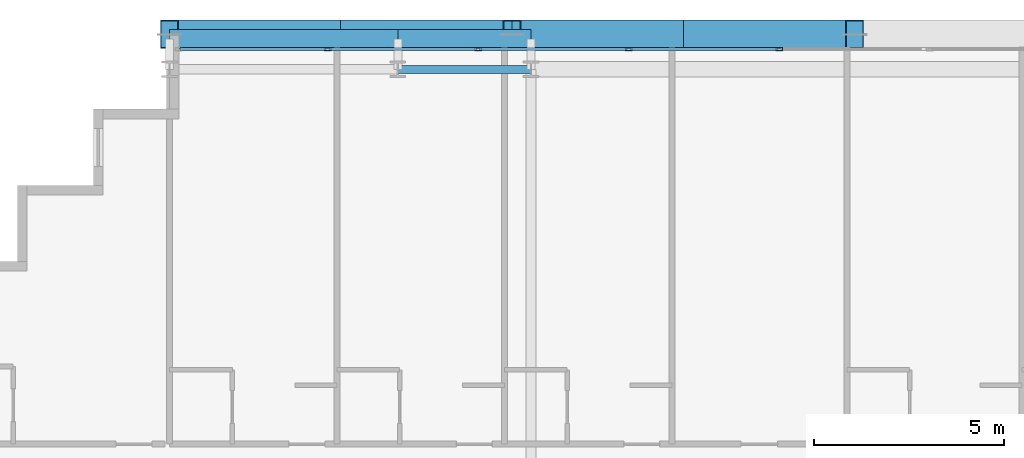
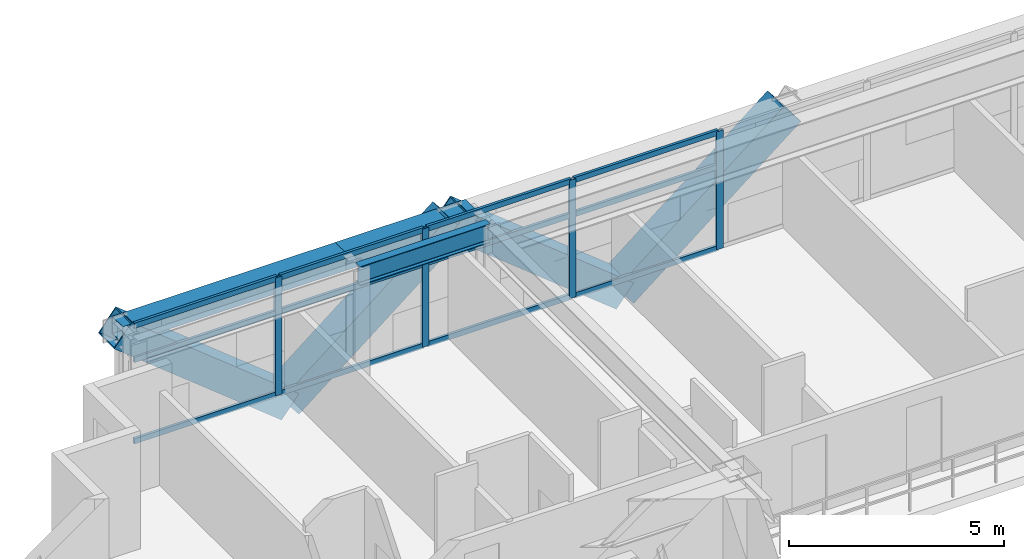
# One storey, part 18 of 36: 20 members, 3 beams, 1 element without a shape of its own.
"""IFC4 building model written with IfcOpenShell, lengths in metres."""

import ifcopenshell
import ifcopenshell.guid

model = None  # the IFC model being written
_history = None  # IfcOwnerHistory: only IFC2X3 demands one
_inside = {}  # id of a spatial element -> (the spatial element, [elements in it])
_under = {}  # id of a project, library or spatial element -> (it, [spatial elements below it])
_declared = {}  # id of a project -> (the project, [libraries it declares])
_typed = {}  # id of a type object -> (the type object, [elements of that type])
_made_of = {}  # id of a material, layer set ... -> (it, [elements and type objects made of it])


def new_model(schema):
    """Start an empty IFC model of exactly this schema.

    Asked for "IFC4X3", IfcOpenShell would pick the latest addendum, in which some entities
    have other attributes; the version numbers below select the first issue.
    IFC2X3 requires an IfcOwnerHistory on every rooted entity: one is made here for all.
    """
    global model, _history
    if schema == "IFC4X3":
        model = ifcopenshell.file(schema_version=(4, 3, 0, 0))
    else:
        model = ifcopenshell.file(schema=schema)
    _inside.clear()
    _under.clear()
    _declared.clear()
    _typed.clear()
    _made_of.clear()
    _history = None
    if model.schema == "IFC2X3":
        org = make("IfcOrganization", Name="unknown")
        user = make(
            "IfcPersonAndOrganization",
            ThePerson=make("IfcPerson", FamilyName="unknown"),
            TheOrganization=org,
        )
        app = make(
            "IfcApplication",
            ApplicationDeveloper=org,
            Version="unknown",
            ApplicationFullName="unknown",
            ApplicationIdentifier="unknown",
        )
        _history = make(
            "IfcOwnerHistory",
            OwningUser=user,
            OwningApplication=app,
            ChangeAction="ADDED",
            CreationDate=0,
        )
    return model


def make(cls, **values):
    """One entity of the class cls with the attributes given. An attribute that is None is left unset."""
    return model.create_entity(
        cls, **{name: value for name, value in values.items() if value is not None}
    )


def rooted(cls, **values):
    """An entity with a GlobalId (a new one), such as an element, a storey or a relation."""
    return make(cls, GlobalId=ifcopenshell.guid.new(), OwnerHistory=_history, **values)


def si_unit(unit_type, name, prefix=None):
    """IfcSIUnit, for example si_unit("LENGTHUNIT", "METRE", prefix="MILLI")."""
    return make("IfcSIUnit", UnitType=unit_type, Prefix=prefix, Name=name)


def assignment(units):
    """IfcUnitAssignment: the units of a project."""
    return None if units is None else make("IfcUnitAssignment", Units=units)


def point(xyz):
    """IfcCartesianPoint."""
    return None if xyz is None else make("IfcCartesianPoint", Coordinates=xyz)


def direction(xyz):
    """IfcDirection."""
    return None if xyz is None else make("IfcDirection", DirectionRatios=xyz)


def frame(location, z_axis=None, x_axis=None):
    """IfcAxis2Placement3D, a coordinate frame: its origin and axes. An axis left out is left unset."""
    return make(
        "IfcAxis2Placement3D",
        Location=point(location),
        Axis=direction(z_axis),
        RefDirection=direction(x_axis),
    )


def frame_2d(location, x_axis=None):
    """IfcAxis2Placement2D, a coordinate frame in the plane: its origin and x axis."""
    return make(
        "IfcAxis2Placement2D", Location=point(location), RefDirection=direction(x_axis)
    )


def origin():
    """The frame at (0, 0, 0) with its axes left unset."""
    return frame((0.0, 0.0, 0.0))


def origin_2d():
    """The frame at (0, 0) in the plane with its x axis left unset."""
    return frame_2d((0.0, 0.0))


def place(relative_to, where):
    """IfcLocalPlacement: puts the frame where relative to a parent placement (None: the world)."""
    return make(
        "IfcLocalPlacement", PlacementRelTo=relative_to, RelativePlacement=where
    )


def context(
    kind, dimensions, precision=None, world=None, true_north=None, identifier=None
):
    """IfcGeometricRepresentationContext, for example the 3D "Model" context."""
    return make(
        "IfcGeometricRepresentationContext",
        ContextIdentifier=identifier,
        ContextType=kind,
        CoordinateSpaceDimension=dimensions,
        Precision=precision,
        WorldCoordinateSystem=world,
        TrueNorth=true_north,
    )


def subcontext(parent, identifier, kind, view, scale=None):
    """IfcGeometricRepresentationSubContext, for example "Body" below "Model"."""
    return make(
        "IfcGeometricRepresentationSubContext",
        ContextIdentifier=identifier,
        ContextType=kind,
        ParentContext=parent,
        TargetScale=scale,
        TargetView=view,
    )


def project(units=None, contexts=None):
    """IfcProject with its units and contexts."""
    return rooted(
        "IfcProject",
        Name="project",
        RepresentationContexts=contexts,
        UnitsInContext=assignment(units),
    )


def spatial(cls, under=None, at=None, **own):
    """A site, building, storey or space (cls), placed at a placement, below another one or the project."""
    s = rooted(cls, ObjectPlacement=at, **own)
    if under is not None:
        _under.setdefault(under.id(), (under, []))[1].append(s)
    return s


def profile(cls, at=None, kind="AREA", **sizes):
    """A parametric profile (cls). Its sizes go by their IFC names, for example OverallWidth=200.0."""
    return make(cls, ProfileType=kind, Position=at, **sizes)


def hollow_rectangle(**sizes):
    """IfcRectangleHollowProfileDef."""
    return profile("IfcRectangleHollowProfileDef", **sizes)


def i_section(**sizes):
    """IfcIShapeProfileDef."""
    return profile("IfcIShapeProfileDef", **sizes)


def extrude(swept, where, along, depth):
    """IfcExtrudedAreaSolid: the profile swept, set in the frame where, extruded along a direction by depth."""
    return make(
        "IfcExtrudedAreaSolid",
        SweptArea=swept,
        Position=where,
        ExtrudedDirection=direction(along),
        Depth=depth,
    )


def shape(context_of_items, identifier, shape_type, items):
    """IfcShapeRepresentation: the items that make up one representation, for example the "Body"."""
    return make(
        "IfcShapeRepresentation",
        ContextOfItems=context_of_items,
        RepresentationIdentifier=identifier,
        RepresentationType=shape_type,
        Items=items,
    )


def source(mapping_origin, context_of_items, identifier, shape_type, items):
    """IfcRepresentationMap: a shape defined once, which mapped items show again and again."""
    return make(
        "IfcRepresentationMap",
        MappingOrigin=mapping_origin,
        MappedRepresentation=shape(context_of_items, identifier, shape_type, items),
    )


def transform(
    local_origin,
    x_axis=None,
    y_axis=None,
    z_axis=None,
    scale=None,
    scale2=None,
    scale3=None,
    uniform=True,
):
    """IfcCartesianTransformationOperator3D, or its non-uniform kind. x_axis, y_axis, z_axis: its Axis1, 2, 3."""
    if uniform:
        return make(
            "IfcCartesianTransformationOperator3D",
            Axis1=direction(x_axis),
            Axis2=direction(y_axis),
            LocalOrigin=point(local_origin),
            Scale=scale,
            Axis3=direction(z_axis),
        )
    return make(
        "IfcCartesianTransformationOperator3DnonUniform",
        Axis1=direction(x_axis),
        Axis2=direction(y_axis),
        LocalOrigin=point(local_origin),
        Scale=scale,
        Axis3=direction(z_axis),
        Scale2=scale2,
        Scale3=scale3,
    )


def mapped(mapping_source, mapping_target):
    """IfcMappedItem: shows the shape of a source again, moved by a transform."""
    return make(
        "IfcMappedItem", MappingSource=mapping_source, MappingTarget=mapping_target
    )


def material(Name=None, Category=None):
    """IfcMaterial."""
    return make("IfcMaterial", Name=Name, Category=Category)


def layer(
    of_material, thickness, ventilated=None, Name=None, Category=None, Priority=None
):
    """IfcMaterialLayer: one layer of a wall or slab, of a material (None: an air gap)."""
    return make(
        "IfcMaterialLayer",
        Material=of_material,
        LayerThickness=thickness,
        IsVentilated=ventilated,
        Name=Name,
        Category=Category,
        Priority=Priority,
    )


def layer_set(layers, Name=None):
    """IfcMaterialLayerSet."""
    return make("IfcMaterialLayerSet", MaterialLayers=layers, LayerSetName=Name)


def material_profile(
    of_material, cross_section, Name=None, Category=None, Priority=None
):
    """IfcMaterialProfile: a cross section and its material."""
    return make(
        "IfcMaterialProfile",
        Name=Name,
        Material=of_material,
        Profile=cross_section,
        Priority=Priority,
        Category=Category,
    )


def profile_set(profiles, Name=None, composite=None):
    """IfcMaterialProfileSet."""
    return make(
        "IfcMaterialProfileSet",
        Name=Name,
        MaterialProfiles=profiles,
        CompositeProfile=composite,
    )


def made_of(thing, what):
    """Note that an element or type object is made of a material, layer set ...; save() writes the relation."""
    if what is not None:
        _made_of.setdefault(what.id(), (what, []))[1].append(thing)
    return thing


def type_object(cls, material=None, **own):
    """A type object (cls), such as IfcWallType, which elements share."""
    return made_of(rooted(cls, **own), material)


def element(
    cls,
    number,
    at=None,
    inside=None,
    cuts=None,
    type_object=None,
    material=None,
    context=None,
    identifier="Body",
    shape_type=None,
    held_by="IfcProductDefinitionShape",
    body=None,
    shapes=None,
    **own,
):
    """One element of the class cls, such as IfcWall. Its Tag is "e" and its number.

    at: its placement. inside: the storey or other place that contains it. cuts: it is an
    opening in that element (IfcRelVoidsElement). A single representation is given by context,
    identifier, shape_type and body (its items); several are given by shapes. held_by: the class
    of the entity that holds the representations. save() writes the other relations.
    """
    e = rooted(cls, Tag="e%d" % number, ObjectPlacement=at, **own)
    if body is not None:
        shapes = [shape(context, identifier, shape_type, body)]
    if shapes is not None:
        e.Representation = make(held_by, Representations=shapes)
    if inside is not None:
        _inside.setdefault(inside.id(), (inside, []))[1].append(e)
    if cuts is not None:
        rooted(
            "IfcRelVoidsElement", RelatingBuildingElement=cuts, RelatedOpeningElement=e
        )
    if type_object is not None:
        _typed.setdefault(type_object.id(), (type_object, []))[1].append(e)
    return made_of(e, material)


def aggregate(whole, parts):
    """IfcRelAggregates: a whole, such as a stair, and the parts it consists of."""
    return rooted("IfcRelAggregates", RelatingObject=whole, RelatedObjects=parts)


def save(model, path):
    """Write the relations noted so far, then the file.

    IfcRelAggregates (storeys below a building ...), IfcRelContainedInSpatialStructure (elements
    in a storey), IfcRelDefinesByType, IfcRelAssociatesMaterial and IfcRelDeclares: one each for
    every whole, place, type object, material and project.
    """
    for whole, parts in _under.values():
        aggregate(whole, parts)
    for where, things in _inside.values():
        rooted(
            "IfcRelContainedInSpatialStructure",
            RelatedElements=things,
            RelatingStructure=where,
        )
    for kind, things in _typed.values():
        rooted("IfcRelDefinesByType", RelatedObjects=things, RelatingType=kind)
    for what, things in _made_of.values():
        rooted("IfcRelAssociatesMaterial", RelatedObjects=things, RelatingMaterial=what)
    for by, libraries in _declared.values():
        rooted("IfcRelDeclares", RelatingContext=by, RelatedDefinitions=libraries)
    model.write(path)


model = new_model("IFC4")

# Units and contexts
model_context = context("Model", 3, precision=1e-05, world=origin(), true_north=direction((0.0, 1.0)))
body_context = subcontext(model_context, "Body", "Model", "MODEL_VIEW")
ifc_project = project(units=[si_unit("LENGTHUNIT", "METRE"), si_unit("AREAUNIT", "SQUARE_METRE"), si_unit("VOLUMEUNIT", "CUBIC_METRE"), si_unit("PLANEANGLEUNIT", "RADIAN"), si_unit("MASSUNIT", "GRAM", prefix="KILO")], contexts=[model_context])

# Site, building, storey
site_placement = place(None, origin())
site = spatial("IfcSite", under=ifc_project, at=site_placement, CompositionType="ELEMENT")
building_placement = place(site_placement, origin())
building = spatial("IfcBuilding", under=site, at=building_placement, Name="Ocotamira Hotel", CompositionType="ELEMENT")
storey_placement = place(building_placement, frame((0.0, 0.0, 129.60009765625)))
storey = spatial("IfcBuildingStorey", under=building, at=storey_placement, Name="L32", CompositionType="ELEMENT", Elevation=129.60009765625)

# Beams
ifc_material_1 = material(Name="Steel ASTM A992 Grade 50", Category="steel")
ifc_material_profile_1 = material_profile(ifc_material_1, i_section(OverallWidth=0.2099609375, OverallDepth=0.537109375, WebThickness=0.010986328125, FlangeThickness=0.017333984375, FilletRadius=0.012939453125, at=origin_2d()), Name="W21X68")
ifc_profile_set_1 = profile_set([ifc_material_profile_1], Name="Steel ASTM A992 Grade 50")
beam_type_1 = type_object("IfcBeamType", Name="BM-SEC-W21X68", PredefinedType="JOIST", material=ifc_profile_set_1)
shared_shape_1 = source(origin(), body_context, "Body", "SweptSolid", [
    extrude(i_section(OverallWidth=0.2099609375, OverallDepth=0.537109375, WebThickness=0.010986328125, FlangeThickness=0.017333984375, FilletRadius=0.012939453125, at=origin_2d()), origin(), (0.0, 0.0, 1.0), 3.5),
])
beam_1_placement = place(storey_placement, frame((20.0, 49.050048828125, 3.09130859375), z_axis=(1.0, 0.0, 0.0), x_axis=(0.0, 1.0, 0.0)))
element("IfcBeam", 1, at=beam_1_placement, inside=storey, type_object=beam_type_1, Name="L32 Girder Y49.05 X20-23.5", PredefinedType="JOIST", context=body_context, shape_type="MappedRepresentation", body=[
    mapped(shared_shape_1, transform((0.0, 0.0, 0.0), scale=1.0)),
])
ifc_material_2 = material(Name="Steel ASTM A500 Grade C", Category="steel")
ifc_material_profile_2 = material_profile(ifc_material_2, hollow_rectangle(XDim=0.5, YDim=0.5, WallThickness=0.02001953125, at=origin_2d()), Name="HSS500X500X20")
ifc_profile_set_2 = profile_set([ifc_material_profile_2], Name="Steel ASTM A500 Grade C")
beam_type_2 = type_object("IfcBeamType", Name="BM-SPAN-HSS500", PredefinedType="USERDEFINED", material=ifc_profile_set_2)
shared_shape_2 = source(origin(), body_context, "Body", "SweptSolid", [
    extrude(hollow_rectangle(XDim=0.5, YDim=0.5, WallThickness=0.02001953125, at=origin_2d()), origin(), (0.0, 0.0, 1.0), 6.0),
])
beam_2_placement = place(storey_placement, frame((14.0, 49.85009765625, 3.10986328125), z_axis=(1.0, 0.0, 0.0), x_axis=(0.0, 1.0, 0.0)))
element("IfcBeam", 2, at=beam_2_placement, inside=storey, type_object=beam_type_2, Name="L32 Edge Spandrel N X14-20", ObjectType="SPANDREL", PredefinedType="USERDEFINED", context=body_context, shape_type="MappedRepresentation", body=[
    mapped(shared_shape_2, transform((0.0, 0.0, 0.0), scale=1.0)),
])
shared_shape_3 = source(origin(), body_context, "Body", "SweptSolid", [
    extrude(hollow_rectangle(XDim=0.5, YDim=0.5, WallThickness=0.02001953125, at=origin_2d()), origin(), (0.0, 0.0, 1.0), 3.5),
])
beam_3_placement = place(storey_placement, frame((20.0, 49.85009765625, 3.10986328125), z_axis=(1.0, 0.0, 0.0), x_axis=(0.0, 1.0, 0.0)))
element("IfcBeam", 3, at=beam_3_placement, inside=storey, type_object=beam_type_2, Name="L32 Edge Spandrel N X20-23.5", ObjectType="SPANDREL", PredefinedType="USERDEFINED", context=body_context, shape_type="MappedRepresentation", body=[
    mapped(shared_shape_3, transform((0.0, 0.0, 0.0), scale=1.0)),
])

# Members
ifc_material_3 = material(Name="Pale-metal coated steel ASTM A913 Grade 65", Category="steel")
ifc_material_profile_3 = material_profile(ifc_material_3, hollow_rectangle(XDim=0.75, YDim=0.75, WallThickness=0.028076171875, at=origin_2d()), Name="BOX750X750X28")
ifc_profile_set_3 = profile_set([ifc_material_profile_3], Name="Pale-metal coated steel ASTM A913 Grade 65")
member_type_1 = type_object("IfcMemberType", Name="MEM-EXO-BOX750", PredefinedType="BRACE", material=ifc_profile_set_3)
shared_shape_4 = source(origin(), body_context, "Body", "SweptSolid", [
    extrude(hollow_rectangle(XDim=0.75, YDim=0.75, WallThickness=0.028076171875, at=origin_2d()), origin(), (0.0, 0.0, 1.0), 5.7626953125),
])
for number, where, z_axis, x_axis, name in (
    (4, (18.5, 49.969970703125, -0.489990234375), (-0.780881208953, 0.0, 0.624679547852), (0.0, -1.0, 0.0), "L32 Exoskeleton Diagrid N0.1"),
    (5, (18.5, 49.969970703125, -0.489990234375), (0.780881208953, 0.0, 0.624679547852), (0.0, 1.0, 0.0), "L32 Exoskeleton Diagrid N0.2"),
    (6, (27.5, 49.969970703125, -0.489990234375), (-0.780881208953, 0.0, 0.624679547852), (0.0, -1.0, 0.0), "L32 Exoskeleton Diagrid N1.1"),
    (7, (27.5, 49.969970703125, -0.489990234375), (0.780881208953, 0.0, 0.624679547852), (0.0, 1.0, 0.0), "L32 Exoskeleton Diagrid N1.2"),
):
    element("IfcMember", number, at=place(storey_placement, frame(where, z_axis=z_axis, x_axis=x_axis)), inside=storey, type_object=member_type_1, Name=name, PredefinedType="BRACE", context=body_context, shape_type="MappedRepresentation", body=[
        mapped(shared_shape_4, transform((0.0, 0.0, 0.0), scale=1.0)),
    ])

# Curtain wall, members
ifc_material_4 = material(Name="Anodised pale-metal aluminium and solar glass", Category="aluminium")
ifc_layer = layer(ifc_material_4, 0.179931640625)
ifc_layer_set = layer_set([ifc_layer], Name="Anodised pale-metal aluminium and solar glass")
curtain_wall_type = type_object("IfcCurtainWallType", Name="CW-SYS3-Z2", PredefinedType="NOTDEFINED", material=ifc_layer_set)
curtain_wall_placement = place(storey_placement, origin())
curtain_wall = element("IfcCurtainWall", 8, at=curtain_wall_placement, inside=storey, type_object=curtain_wall_type, Name="L32 Curtain Wall CW-3 CW-L32-N", PredefinedType="NOTDEFINED")
ifc_material_5 = material(Name="Anodised pale-metal aluminium 6063-T6", Category="aluminium")
ifc_material_profile_4 = material_profile(ifc_material_5, hollow_rectangle(XDim=0.074951171875, YDim=0.14990234375, WallThickness=0.006103515625, at=origin_2d()), Name="HSS150X75X6")
ifc_profile_set_4 = profile_set([ifc_material_profile_4], Name="Anodised pale-metal aluminium 6063-T6")
member_type_2 = type_object("IfcMemberType", Name="CWT-150X75", PredefinedType="USERDEFINED", material=ifc_profile_set_4)
shared_shape_5 = source(origin(), body_context, "Body", "SweptSolid", [
    extrude(hollow_rectangle(XDim=0.074951171875, YDim=0.14990234375, WallThickness=0.006103515625, at=origin_2d()), origin(), (0.0, 0.0, 1.0), 3.83544921875),
])
member_1_placement = place(storey_placement, frame((14.280029296875, 49.580078125, 0.037353515625), z_axis=(1.0, 0.0, 0.0), x_axis=(0.0, 1.0, 0.0)))
member_1 = element("IfcMember", 9, at=member_1_placement, type_object=member_type_2, Name="CW-3 transom 1.1", ObjectType="TRANSOM", PredefinedType="USERDEFINED", context=body_context, shape_type="MappedRepresentation", body=[
    mapped(shared_shape_5, transform((0.0, 0.0, 0.0), scale=1.0)),
])
member_2_placement = place(storey_placement, frame((14.280029296875, 49.580078125, 2.349853515625), z_axis=(1.0, 0.0, 0.0), x_axis=(0.0, 1.0, 0.0)))
member_2 = element("IfcMember", 10, at=member_2_placement, type_object=member_type_2, Name="CW-3 transom 1.2", ObjectType="TRANSOM", PredefinedType="USERDEFINED", context=body_context, shape_type="MappedRepresentation", body=[
    mapped(shared_shape_5, transform((0.0, 0.0, 0.0), scale=1.0)),
])
member_3_placement = place(storey_placement, frame((14.280029296875, 49.580078125, 3.322509765625), z_axis=(1.0, 0.0, 0.0), x_axis=(0.0, 1.0, 0.0)))
member_3 = element("IfcMember", 11, at=member_3_placement, type_object=member_type_2, Name="CW-3 transom 1.3", ObjectType="TRANSOM", PredefinedType="USERDEFINED", context=body_context, shape_type="MappedRepresentation", body=[
    mapped(shared_shape_5, transform((0.0, 0.0, 0.0), scale=1.0)),
])
shared_shape_6 = source(origin(), body_context, "Body", "SweptSolid", [
    extrude(hollow_rectangle(XDim=0.074951171875, YDim=0.14990234375, WallThickness=0.006103515625, at=origin_2d()), origin(), (0.0, 0.0, 1.0), 3.87548828125),
])
member_4_placement = place(storey_placement, frame((18.195556640625, 49.580078125, 0.037353515625), z_axis=(1.0, 0.0, 0.0), x_axis=(0.0, 1.0, 0.0)))
member_4 = element("IfcMember", 12, at=member_4_placement, type_object=member_type_2, Name="CW-3 transom 2.1", ObjectType="TRANSOM", PredefinedType="USERDEFINED", context=body_context, shape_type="MappedRepresentation", body=[
    mapped(shared_shape_6, transform((0.0, 0.0, 0.0), scale=1.0)),
])
member_5_placement = place(storey_placement, frame((18.195556640625, 49.580078125, 2.349853515625), z_axis=(1.0, 0.0, 0.0), x_axis=(0.0, 1.0, 0.0)))
member_5 = element("IfcMember", 13, at=member_5_placement, type_object=member_type_2, Name="CW-3 transom 2.2", ObjectType="TRANSOM", PredefinedType="USERDEFINED", context=body_context, shape_type="MappedRepresentation", body=[
    mapped(shared_shape_6, transform((0.0, 0.0, 0.0), scale=1.0)),
])
member_6_placement = place(storey_placement, frame((18.195556640625, 49.580078125, 3.322509765625), z_axis=(1.0, 0.0, 0.0), x_axis=(0.0, 1.0, 0.0)))
member_6 = element("IfcMember", 14, at=member_6_placement, type_object=member_type_2, Name="CW-3 transom 2.3", ObjectType="TRANSOM", PredefinedType="USERDEFINED", context=body_context, shape_type="MappedRepresentation", body=[
    mapped(shared_shape_6, transform((0.0, 0.0, 0.0), scale=1.0)),
])
member_7_placement = place(storey_placement, frame((22.151123046875, 49.580078125, 0.037353515625), z_axis=(1.0, 0.0, 0.0), x_axis=(0.0, 1.0, 0.0)))
member_7 = element("IfcMember", 15, at=member_7_placement, type_object=member_type_2, Name="CW-3 transom 3.1", ObjectType="TRANSOM", PredefinedType="USERDEFINED", context=body_context, shape_type="MappedRepresentation", body=[
    mapped(shared_shape_6, transform((0.0, 0.0, 0.0), scale=1.0)),
])
member_8_placement = place(storey_placement, frame((22.151123046875, 49.580078125, 2.349853515625), z_axis=(1.0, 0.0, 0.0), x_axis=(0.0, 1.0, 0.0)))
member_8 = element("IfcMember", 16, at=member_8_placement, type_object=member_type_2, Name="CW-3 transom 3.2", ObjectType="TRANSOM", PredefinedType="USERDEFINED", context=body_context, shape_type="MappedRepresentation", body=[
    mapped(shared_shape_6, transform((0.0, 0.0, 0.0), scale=1.0)),
])
member_9_placement = place(storey_placement, frame((22.151123046875, 49.580078125, 3.322509765625), z_axis=(1.0, 0.0, 0.0), x_axis=(0.0, 1.0, 0.0)))
member_9 = element("IfcMember", 17, at=member_9_placement, type_object=member_type_2, Name="CW-3 transom 3.3", ObjectType="TRANSOM", PredefinedType="USERDEFINED", context=body_context, shape_type="MappedRepresentation", body=[
    mapped(shared_shape_6, transform((0.0, 0.0, 0.0), scale=1.0)),
])
member_10_placement = place(storey_placement, frame((26.106689453125, 49.580078125, 0.037353515625), z_axis=(1.0, 0.0, 0.0), x_axis=(0.0, 1.0, 0.0)))
member_10 = element("IfcMember", 18, at=member_10_placement, type_object=member_type_2, Name="CW-3 transom 4.1", ObjectType="TRANSOM", PredefinedType="USERDEFINED", context=body_context, shape_type="MappedRepresentation", body=[
    mapped(shared_shape_6, transform((0.0, 0.0, 0.0), scale=1.0)),
])
member_11_placement = place(storey_placement, frame((26.106689453125, 49.580078125, 2.349853515625), z_axis=(1.0, 0.0, 0.0), x_axis=(0.0, 1.0, 0.0)))
member_11 = element("IfcMember", 19, at=member_11_placement, type_object=member_type_2, Name="CW-3 transom 4.2", ObjectType="TRANSOM", PredefinedType="USERDEFINED", context=body_context, shape_type="MappedRepresentation", body=[
    mapped(shared_shape_6, transform((0.0, 0.0, 0.0), scale=1.0)),
])
member_12_placement = place(storey_placement, frame((26.106689453125, 49.580078125, 3.322509765625), z_axis=(1.0, 0.0, 0.0), x_axis=(0.0, 1.0, 0.0)))
member_12 = element("IfcMember", 20, at=member_12_placement, type_object=member_type_2, Name="CW-3 transom 4.3", ObjectType="TRANSOM", PredefinedType="USERDEFINED", context=body_context, shape_type="MappedRepresentation", body=[
    mapped(shared_shape_6, transform((0.0, 0.0, 0.0), scale=1.0)),
])
ifc_material_profile_5 = material_profile(ifc_material_5, hollow_rectangle(XDim=0.080078125, YDim=0.179931640625, WallThickness=0.006103515625, at=origin_2d()), Name="HSS180X80X6")
ifc_profile_set_5 = profile_set([ifc_material_profile_5], Name="Anodised pale-metal aluminium 6063-T6")
member_type_3 = type_object("IfcMemberType", Name="CWM-180X75", PredefinedType="MULLION", material=ifc_profile_set_5)
shared_shape_7 = source(origin(), body_context, "Body", "SweptSolid", [
    extrude(hollow_rectangle(XDim=0.080078125, YDim=0.179931640625, WallThickness=0.006103515625, at=origin_2d()), origin(), (0.0, 0.0, 1.0), 3.35986328125),
])
member_13_placement = place(storey_placement, frame((18.155517578125, 49.580078125, 0.0), z_axis=(0.0, 0.0, 1.0), x_axis=(0.0, 1.0, 0.0)))
member_13 = element("IfcMember", 21, at=member_13_placement, type_object=member_type_3, Name="CW-3 mullion 2", PredefinedType="MULLION", context=body_context, shape_type="MappedRepresentation", body=[
    mapped(shared_shape_7, transform((0.0, 0.0, 0.0), scale=1.0)),
])
member_14_placement = place(storey_placement, frame((22.111083984375, 49.580078125, 0.0), z_axis=(0.0, 0.0, 1.0), x_axis=(0.0, 1.0, 0.0)))
member_14 = element("IfcMember", 22, at=member_14_placement, type_object=member_type_3, Name="CW-3 mullion 3", PredefinedType="MULLION", context=body_context, shape_type="MappedRepresentation", body=[
    mapped(shared_shape_7, transform((0.0, 0.0, 0.0), scale=1.0)),
])
member_15_placement = place(storey_placement, frame((26.066650390625, 49.580078125, 0.0), z_axis=(0.0, 0.0, 1.0), x_axis=(0.0, 1.0, 0.0)))
member_15 = element("IfcMember", 23, at=member_15_placement, type_object=member_type_3, Name="CW-3 mullion 4", PredefinedType="MULLION", context=body_context, shape_type="MappedRepresentation", body=[
    mapped(shared_shape_7, transform((0.0, 0.0, 0.0), scale=1.0)),
])
member_16_placement = place(storey_placement, frame((30.022216796875, 49.580078125, 0.0), z_axis=(0.0, 0.0, 1.0), x_axis=(0.0, 1.0, 0.0)))
member_16 = element("IfcMember", 24, at=member_16_placement, type_object=member_type_3, Name="CW-3 mullion 5", PredefinedType="MULLION", context=body_context, shape_type="MappedRepresentation", body=[
    mapped(shared_shape_7, transform((0.0, 0.0, 0.0), scale=1.0)),
])
aggregate(curtain_wall, [member_13, member_14, member_15, member_16, member_1, member_2, member_3, member_4, member_5, member_6, member_7, member_8, member_9, member_10, member_11, member_12])

save(model, "model.ifc")
